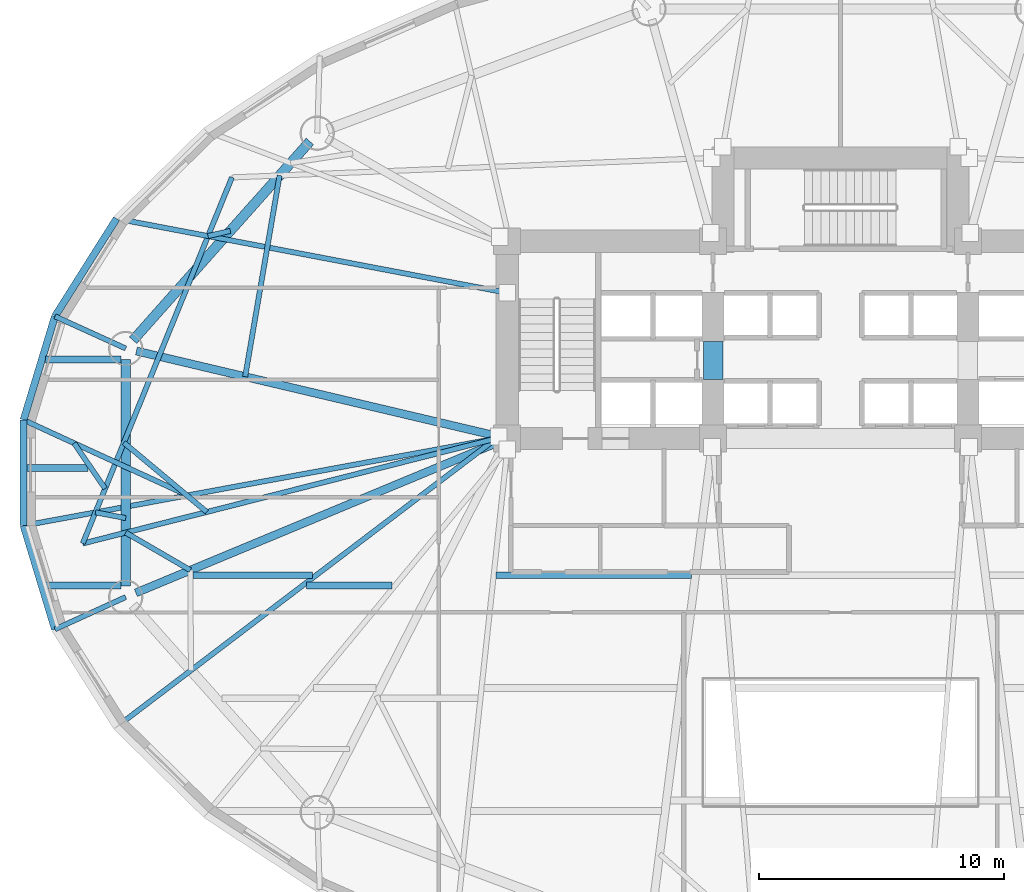
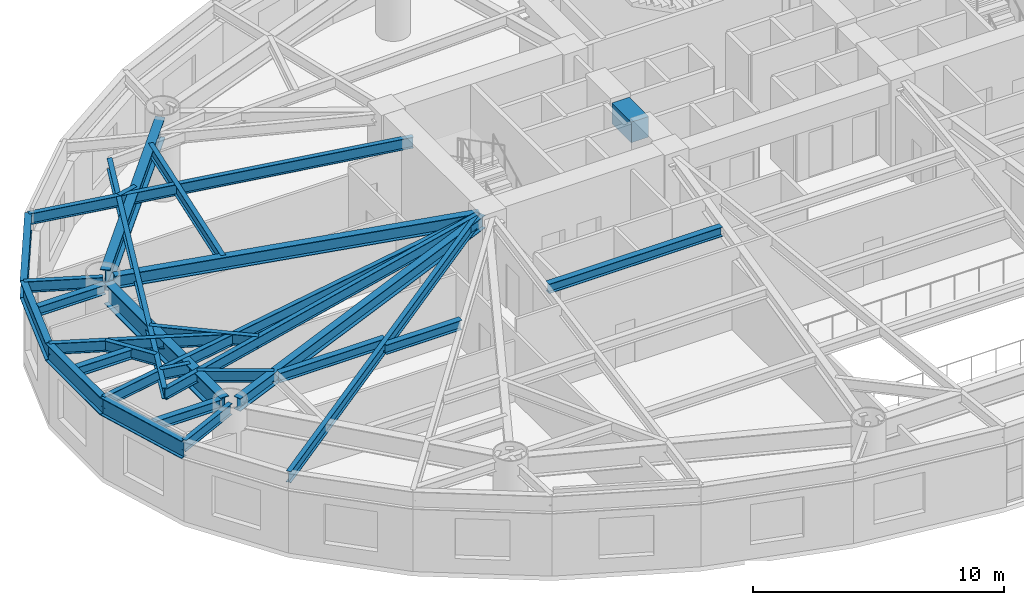
# One storey, part 3 of 19: 29 beams.
"""IFC4 building model written with IfcOpenShell, lengths in metres."""

from ifc_helpers import new_model, si_unit, direction, frame, origin, origin_2d, place, context, subcontext, project, spatial, rectangle, i_section, extrude, material, material_profile, profile_set, type_object, element, save


model = new_model("IFC4")

# Units and contexts
model_context = context("Model", 3, precision=1e-05, world=origin(), true_north=direction((0.0, 1.0)))
body_context = subcontext(model_context, "Body", "Model", "MODEL_VIEW")
ifc_project = project(units=[si_unit("LENGTHUNIT", "METRE"), si_unit("AREAUNIT", "SQUARE_METRE"), si_unit("VOLUMEUNIT", "CUBIC_METRE"), si_unit("PLANEANGLEUNIT", "RADIAN"), si_unit("MASSUNIT", "GRAM", prefix="KILO")], contexts=[model_context])

# Site, building, storey
site_placement = place(None, origin())
site = spatial("IfcSite", under=ifc_project, at=site_placement, CompositionType="ELEMENT")
building_placement = place(site_placement, origin())
building = spatial("IfcBuilding", under=site, at=building_placement, Name="Keldmark Tower", CompositionType="ELEMENT")
storey_placement = place(building_placement, frame((0.0, 0.0, 10.199951171875)))
storey = spatial("IfcBuildingStorey", under=building, at=storey_placement, Name="L02", CompositionType="ELEMENT", Elevation=10.199951171875)

# Beams
ifc_material_1 = material(Name="Steel ASTM A992 Grade 50", Category="steel")
ifc_material_profile_1 = material_profile(ifc_material_1, i_section(OverallWidth=0.280029296875, OverallDepth=0.462890625, WebThickness=0.0107421875, FlangeThickness=0.017333984375, at=origin_2d()), Name="W18X76")
ifc_profile_set_1 = profile_set([ifc_material_profile_1], Name="Steel ASTM A992 Grade 50")
beam_type_1 = type_object("IfcBeamType", Name="Composite Floor Joist W18X76", PredefinedType="JOIST", material=ifc_profile_set_1)
beam_1_placement = place(storey_placement, frame((-32.455078125, -4.60009765625, 3.74853515625), z_axis=(1.0, 0.0, 0.0), x_axis=(0.0, 1.0, 0.0)))
element("IfcBeam", 1, at=beam_1_placement, inside=storey, type_object=beam_type_1, Name="L02 Composite Floor Joist J17", PredefinedType="JOIST", context=body_context, shape_type="SweptSolid", body=[
    extrude(i_section(OverallWidth=0.280029296875, OverallDepth=0.462890625, WebThickness=0.0107421875, FlangeThickness=0.017333984375, at=origin_2d()), origin(), (0.0, 0.0, 1.0), 3.092041015625),
])
beam_2_placement = place(storey_placement, frame((-26.43359375, -4.179931640625, 3.74853515625), z_axis=(1.0, 0.0, 0.0), x_axis=(0.0, 1.0, 0.0)))
element("IfcBeam", 2, at=beam_2_placement, inside=storey, type_object=beam_type_1, Name="L02 Composite Floor Joist J18", PredefinedType="JOIST", context=body_context, shape_type="SweptSolid", body=[
    extrude(i_section(OverallWidth=0.280029296875, OverallDepth=0.462890625, WebThickness=0.0107421875, FlangeThickness=0.017333984375, at=origin_2d()), origin(), (0.0, 0.0, 1.0), 4.87646484375),
])
beam_3_placement = place(storey_placement, frame((-21.7861328125, -4.60009765625, 3.74853515625), z_axis=(1.0, 0.0, 0.0), x_axis=(0.0, 1.0, 0.0)))
element("IfcBeam", 3, at=beam_3_placement, inside=storey, type_object=beam_type_1, Name="L02 Composite Floor Joist J19", PredefinedType="JOIST", context=body_context, shape_type="SweptSolid", body=[
    extrude(i_section(OverallWidth=0.280029296875, OverallDepth=0.462890625, WebThickness=0.0107421875, FlangeThickness=0.017333984375, at=origin_2d()), origin(), (0.0, 0.0, 1.0), 3.482177734375),
])
beam_4_placement = place(storey_placement, frame((-14.055908203125, -4.179931640625, 3.74853515625), z_axis=(1.0, 0.0, 0.0), x_axis=(0.0, 1.0, 0.0)))
element("IfcBeam", 4, at=beam_4_placement, inside=storey, type_object=beam_type_1, Name="L02 Composite Floor Joist J20", PredefinedType="JOIST", context=body_context, shape_type="SweptSolid", body=[
    extrude(i_section(OverallWidth=0.280029296875, OverallDepth=0.462890625, WebThickness=0.0107421875, FlangeThickness=0.017333984375, at=origin_2d()), origin(), (0.0, 0.0, 1.0), 7.98193359375),
])
beam_5_placement = place(storey_placement, frame((-33.20166015625, 0.199951171875, 3.74853515625), z_axis=(1.0, 0.0, 0.0), x_axis=(0.0, 1.0, 0.0)))
element("IfcBeam", 5, at=beam_5_placement, inside=storey, type_object=beam_type_1, Name="L02 Composite Floor Joist J26", PredefinedType="JOIST", context=body_context, shape_type="SweptSolid", body=[
    extrude(i_section(OverallWidth=0.280029296875, OverallDepth=0.462890625, WebThickness=0.0107421875, FlangeThickness=0.017333984375, at=origin_2d()), origin(), (0.0, 0.0, 1.0), 2.49658203125),
])
beam_6_placement = place(storey_placement, frame((-32.44921875, 4.6201171875, 3.74853515625), z_axis=(1.0, 0.0, 0.0), x_axis=(0.0, 1.0, 0.0)))
element("IfcBeam", 6, at=beam_6_placement, inside=storey, type_object=beam_type_1, Name="L02 Composite Floor Joist J28", PredefinedType="JOIST", context=body_context, shape_type="SweptSolid", body=[
    extrude(i_section(OverallWidth=0.280029296875, OverallDepth=0.462890625, WebThickness=0.0107421875, FlangeThickness=0.017333984375, at=origin_2d()), origin(), (0.0, 0.0, 1.0), 3.086181640625),
])
ifc_material_2 = material(Name="Concrete C70/85", Category="concrete")
ifc_material_profile_2 = material_profile(ifc_material_2, rectangle(XDim=0.800048828125, YDim=1.0, at=origin_2d()), Name="RCB800X1000")
ifc_profile_set_2 = profile_set([ifc_material_profile_2], Name="Concrete C70/85")
beam_type_2 = type_object("IfcBeamType", Name="Core Coupling Beam RCB800X1000", PredefinedType="USERDEFINED", material=ifc_profile_set_2)
beam_7_placement = place(storey_placement, frame((-5.199951171875, 3.800048828125, 3.47998046875), z_axis=(0.0, 1.0, 0.0), x_axis=(-1.0, 0.0, 0.0)))
element("IfcBeam", 7, at=beam_7_placement, inside=storey, type_object=beam_type_2, Name="L02 West Core Coupling Beam", ObjectType="COUPLING BEAM", PredefinedType="USERDEFINED", context=body_context, shape_type="SweptSolid", body=[
    extrude(rectangle(XDim=0.800048828125, YDim=1.0, at=origin_2d()), origin(), (0.0, 0.0, 1.0), 1.550048828125),
])
ifc_material_3 = material(Name="Steel ASTM A992 Grade 50", Category="steel")
ifc_material_profile_3 = material_profile(ifc_material_3, i_section(OverallWidth=0.402099609375, OverallDepth=1.011962890625, WebThickness=0.023681640625, FlangeThickness=0.0419921875, at=origin_2d()), Name="W40X297")
ifc_profile_set_3 = profile_set([ifc_material_profile_3], Name="Steel ASTM A992 Grade 50")
beam_type_3 = type_object("IfcBeamType", Name="Podium Primary Girder W40X297", PredefinedType="BEAM", material=ifc_profile_set_3)
beam_8_placement = place(storey_placement, frame((-21.65380859375, 13.523193359375, 3.47412109375), z_axis=(-0.66464984112, -0.747154996436, 0.0), x_axis=(0.747154996436, -0.66464984112, 0.0)))
element("IfcBeam", 8, at=beam_8_placement, inside=storey, type_object=beam_type_3, Name="L02 Podium Ring Girder PG-R05", PredefinedType="BEAM", context=body_context, shape_type="SweptSolid", body=[
    extrude(i_section(OverallWidth=0.402099609375, OverallDepth=1.011962890625, WebThickness=0.023681640625, FlangeThickness=0.0419921875, at=origin_2d()), origin(), (0.0, 0.0, 1.0), 10.85986328125),
])
beam_9_placement = place(storey_placement, frame((-29.1708984375, 4.622802734375, 3.47412109375), z_axis=(0.0, -1.0, 0.0), x_axis=(1.0, 0.0, 0.0)))
element("IfcBeam", 9, at=beam_9_placement, inside=storey, type_object=beam_type_3, Name="L02 Podium Ring Girder PG-R06", PredefinedType="BEAM", context=body_context, shape_type="SweptSolid", body=[
    extrude(i_section(OverallWidth=0.402099609375, OverallDepth=1.011962890625, WebThickness=0.023681640625, FlangeThickness=0.0419921875, at=origin_2d()), origin(), (0.0, 0.0, 1.0), 9.24560546875),
])
ifc_material_4 = material(Name="Steel ASTM A992 Grade 50", Category="steel")
ifc_material_profile_4 = material_profile(ifc_material_4, i_section(OverallWidth=0.2099609375, OverallDepth=0.537109375, WebThickness=0.010986328125, FlangeThickness=0.017333984375, at=origin_2d()), Name="W21X68")
ifc_profile_set_4 = profile_set([ifc_material_profile_4], Name="Steel ASTM A992 Grade 50")
beam_type_4 = type_object("IfcBeamType", Name="Radial Tie Girder W21X68", PredefinedType="BEAM", material=ifc_profile_set_4)
beam_10_placement = place(storey_placement, frame((-24.29541015625, 3.9228515625, 3.711669921875), z_axis=(0.168727090465, 0.985662806919, 0.0), x_axis=(-0.985662806919, 0.168727090465, 0.0)))
element("IfcBeam", 10, at=beam_10_placement, inside=storey, type_object=beam_type_4, Name="L02 Framing Pin Header PH-002", PredefinedType="BEAM", context=body_context, shape_type="SweptSolid", body=[
    extrude(i_section(OverallWidth=0.2099609375, OverallDepth=0.537109375, WebThickness=0.010986328125, FlangeThickness=0.017333984375, at=origin_2d()), origin(), (0.0, 0.0, 1.0), 8.330078125),
])
beam_11_placement = place(storey_placement, frame((-26.53076171875, -3.975341796875, 3.711669921875), z_axis=(-0.864583927723, 0.502488439591, 0.0), x_axis=(-0.502488439591, -0.864583927723, 0.0)))
element("IfcBeam", 11, at=beam_11_placement, inside=storey, type_object=beam_type_4, Name="L02 Framing Pin Header PH-003", PredefinedType="BEAM", context=body_context, shape_type="SweptSolid", body=[
    extrude(i_section(OverallWidth=0.2099609375, OverallDepth=0.537109375, WebThickness=0.010986328125, FlangeThickness=0.017333984375, at=origin_2d()), origin(), (0.0, 0.0, 1.0), 3.0537109375),
])
beam_12_placement = place(storey_placement, frame((-14.050048828125, 1.39990234375, 3.711669921875), z_axis=(-0.969223280707, -0.246183330336, 0.0), x_axis=(0.246183330336, -0.969223280707, 0.0)))
element("IfcBeam", 12, at=beam_12_placement, inside=storey, type_object=beam_type_4, Name="L02 Sub-Ring Step Girder STP1-M07", PredefinedType="BEAM", context=body_context, shape_type="SweptSolid", body=[
    extrude(i_section(OverallWidth=0.2099609375, OverallDepth=0.537109375, WebThickness=0.010986328125, FlangeThickness=0.017333984375, at=origin_2d()), origin(), (0.0, 0.0, 1.0), 17.409423828125),
])
beam_13_placement = place(storey_placement, frame((-24.835205078125, 12.0546875, 3.711669921875), z_axis=(-0.377373313858, -0.926061219352, 0.0), x_axis=(0.926061219352, -0.377373313858, 0.0)))
element("IfcBeam", 13, at=beam_13_placement, inside=storey, type_object=beam_type_4, Name="L02 Perimeter Collector Ring Beam CRG1-M06", PredefinedType="BEAM", context=body_context, shape_type="SweptSolid", body=[
    extrude(i_section(OverallWidth=0.2099609375, OverallDepth=0.537109375, WebThickness=0.010986328125, FlangeThickness=0.017333984375, at=origin_2d()), origin(), (0.0, 0.0, 1.0), 16.133544921875),
])
beam_14_placement = place(storey_placement, frame((-25.861328125, -1.60009765625, 3.711669921875), z_axis=(-0.767009043325, 0.641636289075, 0.0), x_axis=(-0.641636289075, -0.767009043325, 0.0)))
element("IfcBeam", 14, at=beam_14_placement, inside=storey, type_object=beam_type_4, Name="L02 Framing Pin Header PH-006", PredefinedType="BEAM", context=body_context, shape_type="SweptSolid", body=[
    extrude(i_section(OverallWidth=0.2099609375, OverallDepth=0.537109375, WebThickness=0.010986328125, FlangeThickness=0.017333984375, at=origin_2d()), origin(), (0.0, 0.0, 1.0), 4.41259765625),
])
beam_15_placement = place(storey_placement, frame((-24.90185546875, 9.871826171875, 3.711669921875), z_axis=(-0.974258642334, -0.225433133848, 0.0), x_axis=(0.225433133848, -0.974258642334, 0.0)))
element("IfcBeam", 15, at=beam_15_placement, inside=storey, type_object=beam_type_4, Name="L02 Framing Pin Header PH-016", PredefinedType="BEAM", context=body_context, shape_type="SweptSolid", body=[
    extrude(i_section(OverallWidth=0.2099609375, OverallDepth=0.537109375, WebThickness=0.010986328125, FlangeThickness=0.017333984375, at=origin_2d()), origin(), (0.0, 0.0, 1.0), 0.932373046875),
])
beam_16_placement = place(storey_placement, frame((-13.60009765625, 7.343017578125, 3.711669921875), z_axis=(-0.982445190552, 0.186551460894, 0.0), x_axis=(-0.186551460894, -0.982445190552, 0.0)))
element("IfcBeam", 16, at=beam_16_placement, inside=storey, type_object=beam_type_4, Name="L02 Perimeter Radial Tie Girder RT-14", PredefinedType="BEAM", context=body_context, shape_type="SweptSolid", body=[
    extrude(i_section(OverallWidth=0.2099609375, OverallDepth=0.537109375, WebThickness=0.010986328125, FlangeThickness=0.017333984375, at=origin_2d()), origin(), (0.0, 0.0, 1.0), 16.229248046875),
])
beam_17_placement = place(storey_placement, frame((-29.1708984375, 5.072998046875, 3.711669921875), z_axis=(-0.910237250682, 0.414087125458, 0.0), x_axis=(-0.414087125458, -0.910237250682, 0.0)))
element("IfcBeam", 17, at=beam_17_placement, inside=storey, type_object=beam_type_4, Name="L02 Perimeter Column Bracket RT-15", PredefinedType="BEAM", context=body_context, shape_type="SweptSolid", body=[
    extrude(i_section(OverallWidth=0.2099609375, OverallDepth=0.537109375, WebThickness=0.010986328125, FlangeThickness=0.017333984375, at=origin_2d()), origin(), (0.0, 0.0, 1.0), 3.17138671875),
])
beam_18_placement = place(storey_placement, frame((-30.01025390625, -0.644775390625, 3.711669921875), z_axis=(-0.564325178831, 0.825552598286, 0.0), x_axis=(-0.825552598286, -0.564325178831, 0.0)))
element("IfcBeam", 18, at=beam_18_placement, inside=storey, type_object=beam_type_4, Name="L02 Framing Pin Header PH-017", PredefinedType="BEAM", context=body_context, shape_type="SweptSolid", body=[
    extrude(i_section(OverallWidth=0.2099609375, OverallDepth=0.537109375, WebThickness=0.010986328125, FlangeThickness=0.017333984375, at=origin_2d()), origin(), (0.0, 0.0, 1.0), 2.244873046875),
])
beam_19_placement = place(storey_placement, frame((-26.70751953125, -0.892333984375, 3.711669921875), z_axis=(-0.908567400378, 0.417738290045, 0.0), x_axis=(-0.417738290045, -0.908567400378, 0.0)))
element("IfcBeam", 19, at=beam_19_placement, inside=storey, type_object=beam_type_4, Name="L02 Perimeter Radial Tie Girder RT-16", PredefinedType="BEAM", context=body_context, shape_type="SweptSolid", body=[
    extrude(i_section(OverallWidth=0.2099609375, OverallDepth=0.537109375, WebThickness=0.010986328125, FlangeThickness=0.017333984375, at=origin_2d()), origin(), (0.0, 0.0, 1.0), 7.29833984375),
])
beam_20_placement = place(storey_placement, frame((-29.1708984375, -1.84912109375, 3.711669921875), z_axis=(-0.982609535438, 0.185683873469, 0.0), x_axis=(-0.185683873469, -0.982609535438, 0.0)))
element("IfcBeam", 20, at=beam_20_placement, inside=storey, type_object=beam_type_4, Name="L02 Framing Pin Header PH-018", PredefinedType="BEAM", context=body_context, shape_type="SweptSolid", body=[
    extrude(i_section(OverallWidth=0.2099609375, OverallDepth=0.537109375, WebThickness=0.010986328125, FlangeThickness=0.017333984375, at=origin_2d()), origin(), (0.0, 0.0, 1.0), 1.257080078125),
])
beam_21_placement = place(storey_placement, frame((-14.050048828125, 1.39990234375, 3.711669921875), z_axis=(-0.983423761945, -0.181322101363, 0.0), x_axis=(0.181322101363, -0.983423761945, 0.0)))
element("IfcBeam", 21, at=beam_21_placement, inside=storey, type_object=beam_type_4, Name="L02 Perimeter Radial Tie Girder RT-17", PredefinedType="BEAM", context=body_context, shape_type="SweptSolid", body=[
    extrude(i_section(OverallWidth=0.2099609375, OverallDepth=0.537109375, WebThickness=0.010986328125, FlangeThickness=0.017333984375, at=origin_2d()), origin(), (0.0, 0.0, 1.0), 19.61376953125),
])
beam_22_placement = place(storey_placement, frame((-29.1708984375, -5.072998046875, 3.711669921875), z_axis=(-0.910237250682, -0.414087125458, 0.0), x_axis=(0.414087125458, -0.910237250682, 0.0)))
element("IfcBeam", 22, at=beam_22_placement, inside=storey, type_object=beam_type_4, Name="L02 Perimeter Column Bracket RT-18", PredefinedType="BEAM", context=body_context, shape_type="SweptSolid", body=[
    extrude(i_section(OverallWidth=0.2099609375, OverallDepth=0.537109375, WebThickness=0.010986328125, FlangeThickness=0.017333984375, at=origin_2d()), origin(), (0.0, 0.0, 1.0), 3.17138671875),
])
beam_23_placement = place(storey_placement, frame((-14.050048828125, 1.39990234375, 3.711669921875), z_axis=(-0.796291526481, -0.604913055616, 0.0), x_axis=(0.604913055616, -0.796291526481, 0.0)))
element("IfcBeam", 23, at=beam_23_placement, inside=storey, type_object=beam_type_4, Name="L02 Perimeter Radial Tie Girder RT-19", PredefinedType="BEAM", context=body_context, shape_type="SweptSolid", body=[
    extrude(i_section(OverallWidth=0.2099609375, OverallDepth=0.537109375, WebThickness=0.010986328125, FlangeThickness=0.017333984375, at=origin_2d()), origin(), (0.0, 0.0, 1.0), 19.458251953125),
])
ifc_material_5 = material(Name="Steel ASTM A992 Grade 50", Category="steel")
ifc_material_profile_5 = material_profile(ifc_material_5, i_section(OverallWidth=0.326904296875, OverallDepth=0.6220703125, WebThickness=0.015380859375, FlangeThickness=0.0244140625, at=origin_2d()), Name="W24X131")
ifc_profile_set_5 = profile_set([ifc_material_profile_5], Name="Steel ASTM A992 Grade 50")
beam_type_5 = type_object("IfcBeamType", Name="Spandrel Ring Beam W24X131", PredefinedType="SPANDREL", material=ifc_profile_set_5)
beam_24_placement = place(storey_placement, frame((-28.73291015625, 4.969482421875, 3.6689453125), z_axis=(0.973292516513, -0.229568458854, 0.0), x_axis=(0.229568458854, 0.973292516513, 0.0)))
element("IfcBeam", 24, at=beam_24_placement, inside=storey, type_object=beam_type_5, Name="L02 Podium Radial Girder PG-C06", PredefinedType="SPANDREL", context=body_context, shape_type="SweptSolid", body=[
    extrude(i_section(OverallWidth=0.326904296875, OverallDepth=0.6220703125, WebThickness=0.015380859375, FlangeThickness=0.0244140625, at=origin_2d()), origin(), (0.0, 0.0, 1.0), 15.1982421875),
])
beam_25_placement = place(storey_placement, frame((-28.755615234375, -4.900146484375, 3.6689453125), z_axis=(0.923395872542, 0.383849010123, 0.0), x_axis=(-0.383849010123, 0.923395872542, 0.0)))
element("IfcBeam", 25, at=beam_25_placement, inside=storey, type_object=beam_type_5, Name="L02 Podium Radial Girder PG-C07", PredefinedType="SPANDREL", context=body_context, shape_type="SweptSolid", body=[
    extrude(i_section(OverallWidth=0.326904296875, OverallDepth=0.6220703125, WebThickness=0.015380859375, FlangeThickness=0.0244140625, at=origin_2d()), origin(), (0.0, 0.0, 1.0), 16.06298828125),
])
ifc_material_6 = material(Name="Steel ASTM A992 Grade 50", Category="steel")
ifc_material_profile_6 = material_profile(ifc_material_6, i_section(OverallWidth=0.2919921875, OverallDepth=0.85888671875, WebThickness=0.01708984375, FlangeThickness=0.031005859375, at=origin_2d()), Name="W33X169")
ifc_profile_set_6 = profile_set([ifc_material_profile_6], Name="Steel ASTM A992 Grade 50")
beam_type_6 = type_object("IfcBeamType", Name="Spandrel Ring Beam W33X169", PredefinedType="SPANDREL", material=ifc_profile_set_6)
beam_26_placement = place(storey_placement, frame((-29.54443359375, 10.37060546875, 3.550537109375), z_axis=(-0.53349762721, -0.845801561693, 0.0), x_axis=(0.845801561693, -0.53349762721, 0.0)))
element("IfcBeam", 26, at=beam_26_placement, inside=storey, type_object=beam_type_6, Name="L02 Perimeter Spandrel Ring Beam SRB-14", PredefinedType="SPANDREL", context=body_context, shape_type="SweptSolid", body=[
    extrude(i_section(OverallWidth=0.2919921875, OverallDepth=0.85888671875, WebThickness=0.01708984375, FlangeThickness=0.031005859375, at=origin_2d()), origin(), (0.0, 0.0, 1.0), 4.710693359375),
])
beam_27_placement = place(storey_placement, frame((-32.0576171875, 6.38623046875, 3.550537109375), z_axis=(-0.289855603468, -0.957070388811, 0.0), x_axis=(0.957070388811, -0.289855603468, 0.0)))
element("IfcBeam", 27, at=beam_27_placement, inside=storey, type_object=beam_type_6, Name="L02 Perimeter Spandrel Ring Beam SRB-15", PredefinedType="SPANDREL", context=body_context, shape_type="SweptSolid", body=[
    extrude(i_section(OverallWidth=0.2919921875, OverallDepth=0.85888671875, WebThickness=0.01708984375, FlangeThickness=0.031005859375, at=origin_2d()), origin(), (0.0, 0.0, 1.0), 4.41943359375),
])
beam_28_placement = place(storey_placement, frame((-33.338623046875, 2.156494140625, 3.550537109375), z_axis=(0.0, -1.0, 0.0), x_axis=(1.0, 0.0, 0.0)))
element("IfcBeam", 28, at=beam_28_placement, inside=storey, type_object=beam_type_6, Name="L02 Perimeter Spandrel Ring Beam SRB-16", PredefinedType="SPANDREL", context=body_context, shape_type="SweptSolid", body=[
    extrude(i_section(OverallWidth=0.2919921875, OverallDepth=0.85888671875, WebThickness=0.01708984375, FlangeThickness=0.031005859375, at=origin_2d()), origin(), (0.0, 0.0, 1.0), 4.31298828125),
])
beam_29_placement = place(storey_placement, frame((-33.338623046875, -2.156494140625, 3.550537109375), z_axis=(0.289855603468, -0.957070388811, 0.0), x_axis=(0.957070388811, 0.289855603468, 0.0)))
element("IfcBeam", 29, at=beam_29_placement, inside=storey, type_object=beam_type_6, Name="L02 Perimeter Spandrel Ring Beam SRB-17", PredefinedType="SPANDREL", context=body_context, shape_type="SweptSolid", body=[
    extrude(i_section(OverallWidth=0.2919921875, OverallDepth=0.85888671875, WebThickness=0.01708984375, FlangeThickness=0.031005859375, at=origin_2d()), origin(), (0.0, 0.0, 1.0), 4.41943359375),
])

save(model, "model.ifc")
